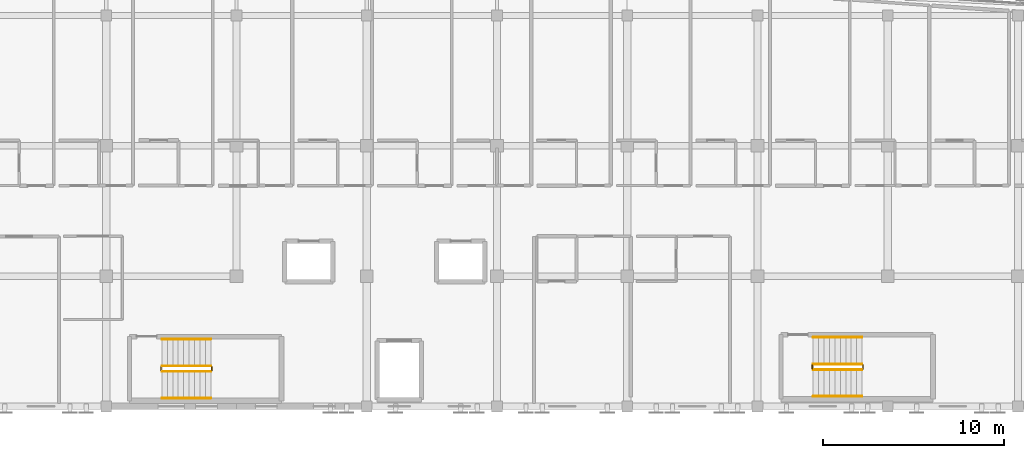
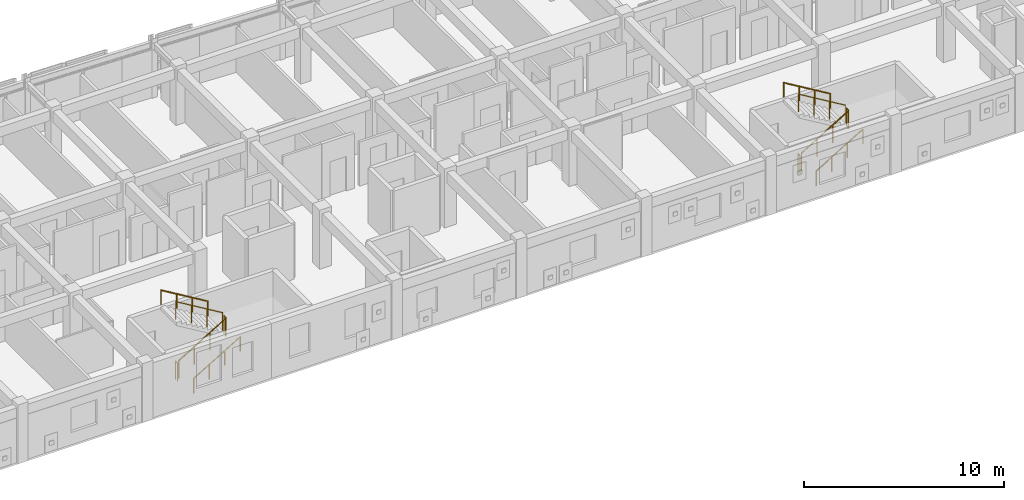
# One storey, part 48 of 48: 12 railings.
"""IFC4 building model written with IfcOpenShell, lengths in metres."""

from ifc_helpers import new_model, si_unit, direction, frame, origin, origin_2d, place, context, subcontext, project, spatial, circle, extrude, material, layer, layer_set, type_object, element, save


model = new_model("IFC4")

# Units and contexts
model_context = context("Model", 3, precision=1e-05, world=origin(), true_north=direction((0.0, 1.0)))
body_context = subcontext(model_context, "Body", "Model", "MODEL_VIEW")
ifc_project = project(units=[si_unit("LENGTHUNIT", "METRE"), si_unit("AREAUNIT", "SQUARE_METRE"), si_unit("VOLUMEUNIT", "CUBIC_METRE"), si_unit("PLANEANGLEUNIT", "RADIAN"), si_unit("MASSUNIT", "GRAM", prefix="KILO")], contexts=[model_context])

# Site, building, storey
site_placement = place(None, origin())
site = spatial("IfcSite", under=ifc_project, at=site_placement, CompositionType="ELEMENT")
building_placement = place(site_placement, origin())
building = spatial("IfcBuilding", under=site, at=building_placement, Name="Carrowvane Square Congress Hotel", CompositionType="ELEMENT")
storey_placement = place(building_placement, frame((0.0, 0.0, 26.39990234375)))
storey = spatial("IfcBuildingStorey", under=building, at=storey_placement, Name="L06", CompositionType="ELEMENT", Elevation=26.39990234375)

# Railings
ifc_material_1 = material(Name="Stainless steel 316", Category="steel")
ifc_layer_1 = layer(ifc_material_1, 0.048095703125)
ifc_layer_set_1 = layer_set([ifc_layer_1], Name="Stainless steel 316")
railing_type_1 = type_object("IfcRailingType", Name="RLG-HR-900", PredefinedType="HANDRAIL", material=ifc_layer_set_1)
railing_1_placement = place(storey_placement, frame((101.080078125, 92.25, 0.18017578125)))
element("IfcRailing", 1, at=railing_1_placement, inside=storey, type_object=railing_type_1, Name="L06 ST3 stair handrail 1", PredefinedType="HANDRAIL", context=body_context, shape_type="SweptSolid", body=[
    extrude(circle(Radius=0.02392578125, at=origin_2d()), frame((0.0, 0.0, 0.8759765625), z_axis=(0.857506608807, 0.0, 0.514472949583), x_axis=(0.0, 1.0, 0.0)), (0.0, 0.0, 1.0), 3.148681640625),
    extrude(circle(Radius=0.02099609375, at=origin_2d()), origin(), (0.0, 0.0, 1.0), 0.851806640625),
    extrude(circle(Radius=0.02099609375, at=origin_2d()), frame((0.89990234375, 0.0, 0.5400390625)), (0.0, 0.0, 1.0), 0.851806640625),
    extrude(circle(Radius=0.02099609375, at=origin_2d()), frame((1.800048828125, 0.0, 1.079833984375)), (0.0, 0.0, 1.0), 0.851806640625),
    extrude(circle(Radius=0.02099609375, at=origin_2d()), frame((2.699951171875, 0.0, 1.619873046875)), (0.0, 0.0, 1.0), 0.851806640625),
])
railing_2_placement = place(storey_placement, frame((103.780029296875, 95.510009765625, 1.97998046875)))
element("IfcRailing", 2, at=railing_2_placement, inside=storey, type_object=railing_type_1, Name="L06 ST3 stair handrail 2", PredefinedType="HANDRAIL", context=body_context, shape_type="SweptSolid", body=[
    extrude(circle(Radius=0.02392578125, at=origin_2d()), frame((0.0, 0.0, 0.8759765625), z_axis=(-0.857472400752, 0.0, 0.514529962148), x_axis=(0.0, -1.0, 0.0)), (0.0, 0.0, 1.0), 3.148681640625),
    extrude(circle(Radius=0.02099609375, at=origin_2d()), origin(), (0.0, 0.0, 1.0), 0.851806640625),
    extrude(circle(Radius=0.02099609375, at=origin_2d()), frame((-0.89990234375, 0.0, 0.5400390625)), (0.0, 0.0, 1.0), 0.851806640625),
    extrude(circle(Radius=0.02099609375, at=origin_2d()), frame((-1.800048828125, 0.0, 1.080078125)), (0.0, 0.0, 1.0), 0.851806640625),
    extrude(circle(Radius=0.02099609375, at=origin_2d()), frame((-2.699951171875, 0.0, 1.6201171875)), (0.0, 0.0, 1.0), 0.851806640625),
])
railing_3_placement = place(storey_placement, frame((137.080078125, 92.35009765625, 0.18017578125)))
element("IfcRailing", 3, at=railing_3_placement, inside=storey, type_object=railing_type_1, Name="L06 ST12 stair handrail 1", PredefinedType="HANDRAIL", context=body_context, shape_type="SweptSolid", body=[
    extrude(circle(Radius=0.02392578125, at=origin_2d()), frame((0.0, 0.0, 0.8759765625), z_axis=(0.857506608807, 0.0, 0.514472949583), x_axis=(0.0, 1.0, 0.0)), (0.0, 0.0, 1.0), 3.148681640625),
    extrude(circle(Radius=0.02099609375, at=origin_2d()), origin(), (0.0, 0.0, 1.0), 0.851806640625),
    extrude(circle(Radius=0.02099609375, at=origin_2d()), frame((0.89990234375, 0.0, 0.5400390625)), (0.0, 0.0, 1.0), 0.851806640625),
    extrude(circle(Radius=0.02099609375, at=origin_2d()), frame((1.800048828125, 0.0, 1.079833984375)), (0.0, 0.0, 1.0), 0.851806640625),
    extrude(circle(Radius=0.02099609375, at=origin_2d()), frame((2.699951171875, 0.0, 1.619873046875)), (0.0, 0.0, 1.0), 0.851806640625),
])
railing_4_placement = place(storey_placement, frame((139.780029296875, 95.610107421875, 1.97998046875)))
element("IfcRailing", 4, at=railing_4_placement, inside=storey, type_object=railing_type_1, Name="L06 ST12 stair handrail 2", PredefinedType="HANDRAIL", context=body_context, shape_type="SweptSolid", body=[
    extrude(circle(Radius=0.02392578125, at=origin_2d()), frame((0.0, 0.0, 0.8759765625), z_axis=(-0.857472400752, 0.0, 0.514529962148), x_axis=(0.0, -1.0, 0.0)), (0.0, 0.0, 1.0), 3.148681640625),
    extrude(circle(Radius=0.02099609375, at=origin_2d()), origin(), (0.0, 0.0, 1.0), 0.851806640625),
    extrude(circle(Radius=0.02099609375, at=origin_2d()), frame((-0.89990234375, 0.0, 0.5400390625)), (0.0, 0.0, 1.0), 0.851806640625),
    extrude(circle(Radius=0.02099609375, at=origin_2d()), frame((-1.800048828125, 0.0, 1.080078125)), (0.0, 0.0, 1.0), 0.851806640625),
    extrude(circle(Radius=0.02099609375, at=origin_2d()), frame((-2.699951171875, 0.0, 1.6201171875)), (0.0, 0.0, 1.0), 0.851806640625),
])
ifc_material_2 = material(Name="Galvanised steel", Category="steel")
ifc_layer_2 = layer(ifc_material_2, 0.048095703125)
ifc_layer_set_2 = layer_set([ifc_layer_2], Name="Galvanised steel")
railing_type_2 = type_object("IfcRailingType", Name="RLG-STG-1100", PredefinedType="GUARDRAIL", material=ifc_layer_set_2)
railing_5_placement = place(storey_placement, frame((101.080078125, 93.72998046875, 0.18017578125)))
element("IfcRailing", 5, at=railing_5_placement, inside=storey, type_object=railing_type_2, Name="L06 ST3 stair guard 1", PredefinedType="GUARDRAIL", context=body_context, shape_type="SweptSolid", body=[
    extrude(circle(Radius=0.02392578125, at=origin_2d()), frame((0.0, 0.0, 1.076171875), z_axis=(0.857506608807, 0.0, 0.514472949583), x_axis=(0.0, 1.0, 0.0)), (0.0, 0.0, 1.0), 3.148681640625),
    extrude(circle(Radius=0.02099609375, at=origin_2d()), origin(), (0.0, 0.0, 1.0), 1.052001953125),
    extrude(circle(Radius=0.02099609375, at=origin_2d()), frame((0.89990234375, 0.0, 0.5400390625)), (0.0, 0.0, 1.0), 1.052001953125),
    extrude(circle(Radius=0.02099609375, at=origin_2d()), frame((1.800048828125, 0.0, 1.079833984375)), (0.0, 0.0, 1.0), 1.052001953125),
    extrude(circle(Radius=0.02099609375, at=origin_2d()), frame((2.699951171875, 0.0, 1.619873046875)), (0.0, 0.0, 1.0), 1.052001953125),
])
railing_6_placement = place(storey_placement, frame((103.830078125, 93.780029296875, 1.800048828125)))
element("IfcRailing", 6, at=railing_6_placement, inside=storey, type_object=railing_type_2, Name="L06 ST3 stair guard 2", PredefinedType="GUARDRAIL", context=body_context, shape_type="SweptSolid", body=[
    extrude(circle(Radius=0.02392578125, at=origin_2d()), frame((0.0, 0.0, 1.076171875), z_axis=(0.0, 1.0, 0.0), x_axis=(-1.0, 0.0, 0.0)), (0.0, 0.0, 1.0), 0.199951171875),
    extrude(circle(Radius=0.02099609375, at=origin_2d()), origin(), (0.0, 0.0, 1.0), 1.052001953125),
    extrude(circle(Radius=0.02099609375, at=origin_2d()), frame((0.0, 0.199951171875, 0.0)), (0.0, 0.0, 1.0), 1.052001953125),
])
railing_7_placement = place(storey_placement, frame((103.780029296875, 94.030029296875, 1.97998046875)))
element("IfcRailing", 7, at=railing_7_placement, inside=storey, type_object=railing_type_2, Name="L06 ST3 stair guard 3", PredefinedType="GUARDRAIL", context=body_context, shape_type="SweptSolid", body=[
    extrude(circle(Radius=0.02392578125, at=origin_2d()), frame((0.0, 0.0, 1.076171875), z_axis=(-0.857472400752, 0.0, 0.514529962148), x_axis=(0.0, -1.0, 0.0)), (0.0, 0.0, 1.0), 3.148681640625),
    extrude(circle(Radius=0.02099609375, at=origin_2d()), origin(), (0.0, 0.0, 1.0), 1.052001953125),
    extrude(circle(Radius=0.02099609375, at=origin_2d()), frame((-0.89990234375, 0.0, 0.5400390625)), (0.0, 0.0, 1.0), 1.052001953125),
    extrude(circle(Radius=0.02099609375, at=origin_2d()), frame((-1.800048828125, 0.0, 1.080078125)), (0.0, 0.0, 1.0), 1.052001953125),
    extrude(circle(Radius=0.02099609375, at=origin_2d()), frame((-2.699951171875, 0.0, 1.6201171875)), (0.0, 0.0, 1.0), 1.052001953125),
])
railing_8_placement = place(storey_placement, frame((101.030029296875, 93.780029296875, 0.0)))
element("IfcRailing", 8, at=railing_8_placement, inside=storey, type_object=railing_type_2, Name="L06 ST3 stair guard 4", PredefinedType="GUARDRAIL", context=body_context, shape_type="SweptSolid", body=[
    extrude(circle(Radius=0.02392578125, at=origin_2d()), frame((0.0, 0.0, 1.076171875), z_axis=(0.0, 1.0, 0.0), x_axis=(-1.0, 0.0, 0.0)), (0.0, 0.0, 1.0), 0.199951171875),
    extrude(circle(Radius=0.02099609375, at=origin_2d()), origin(), (0.0, 0.0, 1.0), 1.052001953125),
    extrude(circle(Radius=0.02099609375, at=origin_2d()), frame((0.0, 0.199951171875, 0.0)), (0.0, 0.0, 1.0), 1.052001953125),
])
railing_9_placement = place(storey_placement, frame((137.080078125, 93.830078125, 0.18017578125)))
element("IfcRailing", 9, at=railing_9_placement, inside=storey, type_object=railing_type_2, Name="L06 ST12 stair guard 1", PredefinedType="GUARDRAIL", context=body_context, shape_type="SweptSolid", body=[
    extrude(circle(Radius=0.02392578125, at=origin_2d()), frame((0.0, 0.0, 1.076171875), z_axis=(0.857506608807, 0.0, 0.514472949583), x_axis=(0.0, 1.0, 0.0)), (0.0, 0.0, 1.0), 3.148681640625),
    extrude(circle(Radius=0.02099609375, at=origin_2d()), origin(), (0.0, 0.0, 1.0), 1.052001953125),
    extrude(circle(Radius=0.02099609375, at=origin_2d()), frame((0.89990234375, 0.0, 0.5400390625)), (0.0, 0.0, 1.0), 1.052001953125),
    extrude(circle(Radius=0.02099609375, at=origin_2d()), frame((1.800048828125, 0.0, 1.079833984375)), (0.0, 0.0, 1.0), 1.052001953125),
    extrude(circle(Radius=0.02099609375, at=origin_2d()), frame((2.699951171875, 0.0, 1.619873046875)), (0.0, 0.0, 1.0), 1.052001953125),
])
railing_10_placement = place(storey_placement, frame((139.830078125, 93.8798828125, 1.800048828125)))
element("IfcRailing", 10, at=railing_10_placement, inside=storey, type_object=railing_type_2, Name="L06 ST12 stair guard 2", PredefinedType="GUARDRAIL", context=body_context, shape_type="SweptSolid", body=[
    extrude(circle(Radius=0.02392578125, at=origin_2d()), frame((0.0, 0.0, 1.076171875), z_axis=(0.0, 1.0, 0.0), x_axis=(-1.0, 0.0, 0.0)), (0.0, 0.0, 1.0), 0.2001953125),
    extrude(circle(Radius=0.02099609375, at=origin_2d()), origin(), (0.0, 0.0, 1.0), 1.052001953125),
    extrude(circle(Radius=0.02099609375, at=origin_2d()), frame((0.0, 0.2001953125, 0.0)), (0.0, 0.0, 1.0), 1.052001953125),
])
railing_11_placement = place(storey_placement, frame((139.780029296875, 94.1298828125, 1.97998046875)))
element("IfcRailing", 11, at=railing_11_placement, inside=storey, type_object=railing_type_2, Name="L06 ST12 stair guard 3", PredefinedType="GUARDRAIL", context=body_context, shape_type="SweptSolid", body=[
    extrude(circle(Radius=0.02392578125, at=origin_2d()), frame((0.0, 0.0, 1.076171875), z_axis=(-0.857472400752, 0.0, 0.514529962148), x_axis=(0.0, -1.0, 0.0)), (0.0, 0.0, 1.0), 3.148681640625),
    extrude(circle(Radius=0.02099609375, at=origin_2d()), origin(), (0.0, 0.0, 1.0), 1.052001953125),
    extrude(circle(Radius=0.02099609375, at=origin_2d()), frame((-0.89990234375, 0.0, 0.5400390625)), (0.0, 0.0, 1.0), 1.052001953125),
    extrude(circle(Radius=0.02099609375, at=origin_2d()), frame((-1.800048828125, 0.0, 1.080078125)), (0.0, 0.0, 1.0), 1.052001953125),
    extrude(circle(Radius=0.02099609375, at=origin_2d()), frame((-2.699951171875, 0.0, 1.6201171875)), (0.0, 0.0, 1.0), 1.052001953125),
])
railing_12_placement = place(storey_placement, frame((137.030029296875, 93.8798828125, 0.0)))
element("IfcRailing", 12, at=railing_12_placement, inside=storey, type_object=railing_type_2, Name="L06 ST12 stair guard 4", PredefinedType="GUARDRAIL", context=body_context, shape_type="SweptSolid", body=[
    extrude(circle(Radius=0.02392578125, at=origin_2d()), frame((0.0, 0.0, 1.076171875), z_axis=(0.0, 1.0, 0.0), x_axis=(-1.0, 0.0, 0.0)), (0.0, 0.0, 1.0), 0.2001953125),
    extrude(circle(Radius=0.02099609375, at=origin_2d()), origin(), (0.0, 0.0, 1.0), 1.052001953125),
    extrude(circle(Radius=0.02099609375, at=origin_2d()), frame((0.0, 0.2001953125, 0.0)), (0.0, 0.0, 1.0), 1.052001953125),
])

save(model, "model.ifc")
